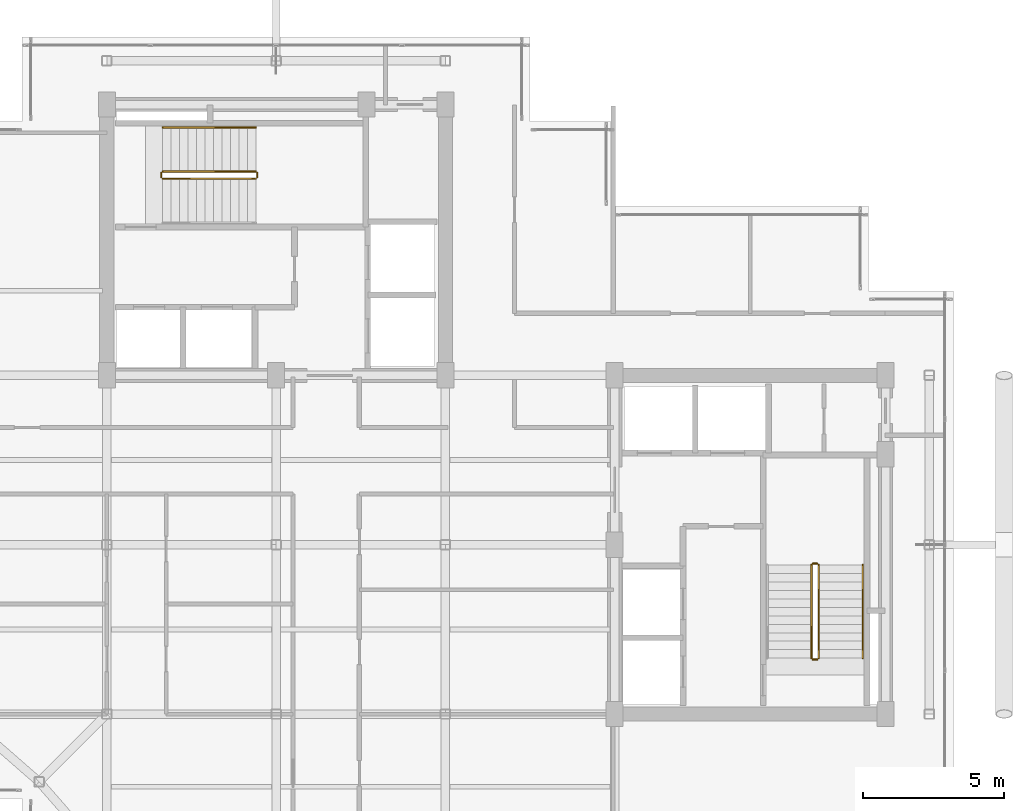
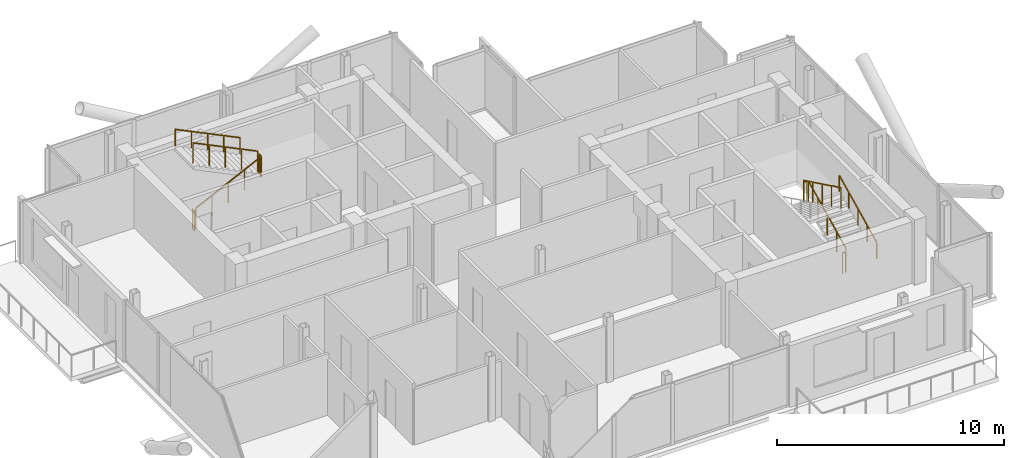
# One storey, part 18 of 18: 10 railings.
"""IFC4 building model written with IfcOpenShell, lengths in metres."""

import ifcopenshell
import ifcopenshell.guid

model = None  # the IFC model being written
_history = None  # IfcOwnerHistory: only IFC2X3 demands one
_inside = {}  # id of a spatial element -> (the spatial element, [elements in it])
_under = {}  # id of a project, library or spatial element -> (it, [spatial elements below it])
_declared = {}  # id of a project -> (the project, [libraries it declares])
_typed = {}  # id of a type object -> (the type object, [elements of that type])
_made_of = {}  # id of a material, layer set ... -> (it, [elements and type objects made of it])


def new_model(schema):
    """Start an empty IFC model of exactly this schema.

    Asked for "IFC4X3", IfcOpenShell would pick the latest addendum, in which some entities
    have other attributes; the version numbers below select the first issue.
    IFC2X3 requires an IfcOwnerHistory on every rooted entity: one is made here for all.
    """
    global model, _history
    if schema == "IFC4X3":
        model = ifcopenshell.file(schema_version=(4, 3, 0, 0))
    else:
        model = ifcopenshell.file(schema=schema)
    _inside.clear()
    _under.clear()
    _declared.clear()
    _typed.clear()
    _made_of.clear()
    _history = None
    if model.schema == "IFC2X3":
        org = make("IfcOrganization", Name="unknown")
        user = make(
            "IfcPersonAndOrganization",
            ThePerson=make("IfcPerson", FamilyName="unknown"),
            TheOrganization=org,
        )
        app = make(
            "IfcApplication",
            ApplicationDeveloper=org,
            Version="unknown",
            ApplicationFullName="unknown",
            ApplicationIdentifier="unknown",
        )
        _history = make(
            "IfcOwnerHistory",
            OwningUser=user,
            OwningApplication=app,
            ChangeAction="ADDED",
            CreationDate=0,
        )
    return model


def make(cls, **values):
    """One entity of the class cls with the attributes given. An attribute that is None is left unset."""
    return model.create_entity(
        cls, **{name: value for name, value in values.items() if value is not None}
    )


def rooted(cls, **values):
    """An entity with a GlobalId (a new one), such as an element, a storey or a relation."""
    return make(cls, GlobalId=ifcopenshell.guid.new(), OwnerHistory=_history, **values)


def si_unit(unit_type, name, prefix=None):
    """IfcSIUnit, for example si_unit("LENGTHUNIT", "METRE", prefix="MILLI")."""
    return make("IfcSIUnit", UnitType=unit_type, Prefix=prefix, Name=name)


def assignment(units):
    """IfcUnitAssignment: the units of a project."""
    return None if units is None else make("IfcUnitAssignment", Units=units)


def point(xyz):
    """IfcCartesianPoint."""
    return None if xyz is None else make("IfcCartesianPoint", Coordinates=xyz)


def direction(xyz):
    """IfcDirection."""
    return None if xyz is None else make("IfcDirection", DirectionRatios=xyz)


def frame(location, z_axis=None, x_axis=None):
    """IfcAxis2Placement3D, a coordinate frame: its origin and axes. An axis left out is left unset."""
    return make(
        "IfcAxis2Placement3D",
        Location=point(location),
        Axis=direction(z_axis),
        RefDirection=direction(x_axis),
    )


def frame_2d(location, x_axis=None):
    """IfcAxis2Placement2D, a coordinate frame in the plane: its origin and x axis."""
    return make(
        "IfcAxis2Placement2D", Location=point(location), RefDirection=direction(x_axis)
    )


def origin():
    """The frame at (0, 0, 0) with its axes left unset."""
    return frame((0.0, 0.0, 0.0))


def origin_2d():
    """The frame at (0, 0) in the plane with its x axis left unset."""
    return frame_2d((0.0, 0.0))


def place(relative_to, where):
    """IfcLocalPlacement: puts the frame where relative to a parent placement (None: the world)."""
    return make(
        "IfcLocalPlacement", PlacementRelTo=relative_to, RelativePlacement=where
    )


def context(
    kind, dimensions, precision=None, world=None, true_north=None, identifier=None
):
    """IfcGeometricRepresentationContext, for example the 3D "Model" context."""
    return make(
        "IfcGeometricRepresentationContext",
        ContextIdentifier=identifier,
        ContextType=kind,
        CoordinateSpaceDimension=dimensions,
        Precision=precision,
        WorldCoordinateSystem=world,
        TrueNorth=true_north,
    )


def subcontext(parent, identifier, kind, view, scale=None):
    """IfcGeometricRepresentationSubContext, for example "Body" below "Model"."""
    return make(
        "IfcGeometricRepresentationSubContext",
        ContextIdentifier=identifier,
        ContextType=kind,
        ParentContext=parent,
        TargetScale=scale,
        TargetView=view,
    )


def project(units=None, contexts=None):
    """IfcProject with its units and contexts."""
    return rooted(
        "IfcProject",
        Name="project",
        RepresentationContexts=contexts,
        UnitsInContext=assignment(units),
    )


def spatial(cls, under=None, at=None, **own):
    """A site, building, storey or space (cls), placed at a placement, below another one or the project."""
    s = rooted(cls, ObjectPlacement=at, **own)
    if under is not None:
        _under.setdefault(under.id(), (under, []))[1].append(s)
    return s


def profile(cls, at=None, kind="AREA", **sizes):
    """A parametric profile (cls). Its sizes go by their IFC names, for example OverallWidth=200.0."""
    return make(cls, ProfileType=kind, Position=at, **sizes)


def rectangle(**sizes):
    """IfcRectangleProfileDef."""
    return profile("IfcRectangleProfileDef", **sizes)


def extrude(swept, where, along, depth):
    """IfcExtrudedAreaSolid: the profile swept, set in the frame where, extruded along a direction by depth."""
    return make(
        "IfcExtrudedAreaSolid",
        SweptArea=swept,
        Position=where,
        ExtrudedDirection=direction(along),
        Depth=depth,
    )


def shape(context_of_items, identifier, shape_type, items):
    """IfcShapeRepresentation: the items that make up one representation, for example the "Body"."""
    return make(
        "IfcShapeRepresentation",
        ContextOfItems=context_of_items,
        RepresentationIdentifier=identifier,
        RepresentationType=shape_type,
        Items=items,
    )


def material(Name=None, Category=None):
    """IfcMaterial."""
    return make("IfcMaterial", Name=Name, Category=Category)


def made_of(thing, what):
    """Note that an element or type object is made of a material, layer set ...; save() writes the relation."""
    if what is not None:
        _made_of.setdefault(what.id(), (what, []))[1].append(thing)
    return thing


def type_object(cls, material=None, **own):
    """A type object (cls), such as IfcWallType, which elements share."""
    return made_of(rooted(cls, **own), material)


def element(
    cls,
    number,
    at=None,
    inside=None,
    cuts=None,
    type_object=None,
    material=None,
    context=None,
    identifier="Body",
    shape_type=None,
    held_by="IfcProductDefinitionShape",
    body=None,
    shapes=None,
    **own,
):
    """One element of the class cls, such as IfcWall. Its Tag is "e" and its number.

    at: its placement. inside: the storey or other place that contains it. cuts: it is an
    opening in that element (IfcRelVoidsElement). A single representation is given by context,
    identifier, shape_type and body (its items); several are given by shapes. held_by: the class
    of the entity that holds the representations. save() writes the other relations.
    """
    e = rooted(cls, Tag="e%d" % number, ObjectPlacement=at, **own)
    if body is not None:
        shapes = [shape(context, identifier, shape_type, body)]
    if shapes is not None:
        e.Representation = make(held_by, Representations=shapes)
    if inside is not None:
        _inside.setdefault(inside.id(), (inside, []))[1].append(e)
    if cuts is not None:
        rooted(
            "IfcRelVoidsElement", RelatingBuildingElement=cuts, RelatedOpeningElement=e
        )
    if type_object is not None:
        _typed.setdefault(type_object.id(), (type_object, []))[1].append(e)
    return made_of(e, material)


def aggregate(whole, parts):
    """IfcRelAggregates: a whole, such as a stair, and the parts it consists of."""
    return rooted("IfcRelAggregates", RelatingObject=whole, RelatedObjects=parts)


def save(model, path):
    """Write the relations noted so far, then the file.

    IfcRelAggregates (storeys below a building ...), IfcRelContainedInSpatialStructure (elements
    in a storey), IfcRelDefinesByType, IfcRelAssociatesMaterial and IfcRelDeclares: one each for
    every whole, place, type object, material and project.
    """
    for whole, parts in _under.values():
        aggregate(whole, parts)
    for where, things in _inside.values():
        rooted(
            "IfcRelContainedInSpatialStructure",
            RelatedElements=things,
            RelatingStructure=where,
        )
    for kind, things in _typed.values():
        rooted("IfcRelDefinesByType", RelatedObjects=things, RelatingType=kind)
    for what, things in _made_of.values():
        rooted("IfcRelAssociatesMaterial", RelatedObjects=things, RelatingMaterial=what)
    for by, libraries in _declared.values():
        rooted("IfcRelDeclares", RelatingContext=by, RelatedDefinitions=libraries)
    model.write(path)


model = new_model("IFC4")

# Units and contexts
model_context = context("Model", 3, precision=1e-05, world=origin(), true_north=direction((0.0, 1.0)))
body_context = subcontext(model_context, "Body", "Model", "MODEL_VIEW")
ifc_project = project(units=[si_unit("LENGTHUNIT", "METRE"), si_unit("AREAUNIT", "SQUARE_METRE"), si_unit("VOLUMEUNIT", "CUBIC_METRE"), si_unit("PLANEANGLEUNIT", "RADIAN"), si_unit("MASSUNIT", "GRAM", prefix="KILO"), si_unit("THERMODYNAMICTEMPERATUREUNIT", "KELVIN"), si_unit("POWERUNIT", "WATT")], contexts=[model_context])

# Site, building, storey
site_placement = place(None, origin())
site = spatial("IfcSite", under=ifc_project, at=site_placement, CompositionType="ELEMENT")
building_placement = place(site_placement, origin())
building = spatial("IfcBuilding", under=site, at=building_placement, Name="Svarakhadi Broadcast Tower", CompositionType="ELEMENT")
storey_placement = place(building_placement, frame((0.0, 0.0, 260.699951171875)))
storey = spatial("IfcBuildingStorey", under=building, at=storey_placement, Name="L65", CompositionType="ELEMENT", Elevation=260.699951171875)

# Railings
ifc_material = material(Name="Anodised Bronze Aluminium AA 6063-T6", Category="aluminium")
railing_type_1 = type_object("IfcRailingType", Name="Guard_Stair_GR01", PredefinedType="GUARDRAIL", material=ifc_material)
railing_1_placement = place(storey_placement, frame((7.97998046875, 24.969970703125, 0.14599609375)))
element("IfcRailing", 1, at=railing_1_placement, inside=storey, type_object=railing_type_1, Name="L65 ST-01 stair guard 1", PredefinedType="GUARDRAIL", context=body_context, shape_type="SweptSolid", body=[
    extrude(rectangle(XDim=0.048095703125, YDim=0.048095703125, at=origin_2d()), frame((0.0, 0.0, 1.09619140625), z_axis=(0.899387838337, 0.0, 0.437151594131), x_axis=(0.0, 1.0, 0.0)), (0.0, 0.0, 1.0), 3.669189453125),
    extrude(rectangle(XDim=0.0419921875, YDim=0.0419921875, at=origin_2d()), origin(), (0.0, 0.0, 1.0), 1.072021484375),
    extrude(rectangle(XDim=0.0419921875, YDim=0.0419921875, at=origin_2d()), frame((0.824951171875, 0.0, 0.40087890625)), (0.0, 0.0, 1.0), 1.072021484375),
    extrude(rectangle(XDim=0.0419921875, YDim=0.0419921875, at=origin_2d()), frame((1.64990234375, 0.0, 0.802001953125)), (0.0, 0.0, 1.0), 1.072021484375),
    extrude(rectangle(XDim=0.0419921875, YDim=0.0419921875, at=origin_2d()), frame((2.47509765625, 0.0, 1.203125)), (0.0, 0.0, 1.0), 1.072021484375),
    extrude(rectangle(XDim=0.0419921875, YDim=0.0419921875, at=origin_2d()), frame((3.300048828125, 0.0, 1.60400390625)), (0.0, 0.0, 1.0), 1.072021484375),
])
railing_2_placement = place(storey_placement, frame((11.330078125, 25.02001953125, 1.75)))
element("IfcRailing", 2, at=railing_2_placement, inside=storey, type_object=railing_type_1, Name="L65 ST-01 stair guard 2", PredefinedType="GUARDRAIL", context=body_context, shape_type="SweptSolid", body=[
    extrude(rectangle(XDim=0.048095703125, YDim=0.048095703125, at=origin_2d()), frame((0.0, 0.0, 1.09619140625), z_axis=(0.0, 1.0, 0.0), x_axis=(-1.0, 0.0, 0.0)), (0.0, 0.0, 1.0), 0.159912109375),
    extrude(rectangle(XDim=0.0419921875, YDim=0.0419921875, at=origin_2d()), origin(), (0.0, 0.0, 1.0), 1.072021484375),
    extrude(rectangle(XDim=0.0419921875, YDim=0.0419921875, at=origin_2d()), frame((0.0, 0.159912109375, 0.0)), (0.0, 0.0, 1.0), 1.072021484375),
])
railing_3_placement = place(storey_placement, frame((11.280029296875, 25.22998046875, 1.89599609375)))
element("IfcRailing", 3, at=railing_3_placement, inside=storey, type_object=railing_type_1, Name="L65 ST-01 stair guard 3", PredefinedType="GUARDRAIL", context=body_context, shape_type="SweptSolid", body=[
    extrude(rectangle(XDim=0.048095703125, YDim=0.048095703125, at=origin_2d()), frame((0.0, 0.0, 1.09619140625), z_axis=(-0.899387838337, 0.0, 0.437151594131), x_axis=(0.0, -1.0, 0.0)), (0.0, 0.0, 1.0), 3.669189453125),
    extrude(rectangle(XDim=0.0419921875, YDim=0.0419921875, at=origin_2d()), origin(), (0.0, 0.0, 1.0), 1.072021484375),
    extrude(rectangle(XDim=0.0419921875, YDim=0.0419921875, at=origin_2d()), frame((-0.824951171875, 0.0, 0.40087890625)), (0.0, 0.0, 1.0), 1.072021484375),
    extrude(rectangle(XDim=0.0419921875, YDim=0.0419921875, at=origin_2d()), frame((-1.64990234375, 0.0, 0.802001953125)), (0.0, 0.0, 1.0), 1.072021484375),
    extrude(rectangle(XDim=0.0419921875, YDim=0.0419921875, at=origin_2d()), frame((-2.47509765625, 0.0, 1.203125)), (0.0, 0.0, 1.0), 1.072021484375),
    extrude(rectangle(XDim=0.0419921875, YDim=0.0419921875, at=origin_2d()), frame((-3.300048828125, 0.0, 1.60400390625)), (0.0, 0.0, 1.0), 1.072021484375),
])
railing_4_placement = place(storey_placement, frame((7.929931640625, 25.02001953125, 0.0)))
element("IfcRailing", 4, at=railing_4_placement, inside=storey, type_object=railing_type_1, Name="L65 ST-01 stair guard 4", PredefinedType="GUARDRAIL", context=body_context, shape_type="SweptSolid", body=[
    extrude(rectangle(XDim=0.048095703125, YDim=0.048095703125, at=origin_2d()), frame((0.0, 0.0, 1.09619140625), z_axis=(0.0, 1.0, 0.0), x_axis=(-1.0, 0.0, 0.0)), (0.0, 0.0, 1.0), 0.159912109375),
    extrude(rectangle(XDim=0.0419921875, YDim=0.0419921875, at=origin_2d()), origin(), (0.0, 0.0, 1.0), 1.072021484375),
    extrude(rectangle(XDim=0.0419921875, YDim=0.0419921875, at=origin_2d()), frame((0.0, 0.159912109375, 0.0)), (0.0, 0.0, 1.0), 1.072021484375),
])
railing_5_placement = place(storey_placement, frame((31.22998046875, 7.97998046875, 0.14599609375)))
element("IfcRailing", 5, at=railing_5_placement, inside=storey, type_object=railing_type_1, Name="L65 ST-02 stair guard 1", PredefinedType="GUARDRAIL", context=body_context, shape_type="SweptSolid", body=[
    extrude(rectangle(XDim=0.048095703125, YDim=0.048095703125, at=origin_2d()), frame((0.0, 0.0, 1.09619140625), z_axis=(0.0, 0.899387838337, 0.437151594131), x_axis=(-1.0, 0.0, 0.0)), (0.0, 0.0, 1.0), 3.669189453125),
    extrude(rectangle(XDim=0.0419921875, YDim=0.0419921875, at=origin_2d()), origin(), (0.0, 0.0, 1.0), 1.072021484375),
    extrude(rectangle(XDim=0.0419921875, YDim=0.0419921875, at=origin_2d()), frame((0.0, 0.824951171875, 0.40087890625)), (0.0, 0.0, 1.0), 1.072021484375),
    extrude(rectangle(XDim=0.0419921875, YDim=0.0419921875, at=origin_2d()), frame((0.0, 1.64990234375, 0.802001953125)), (0.0, 0.0, 1.0), 1.072021484375),
    extrude(rectangle(XDim=0.0419921875, YDim=0.0419921875, at=origin_2d()), frame((0.0, 2.47509765625, 1.203125)), (0.0, 0.0, 1.0), 1.072021484375),
    extrude(rectangle(XDim=0.0419921875, YDim=0.0419921875, at=origin_2d()), frame((0.0, 3.300048828125, 1.60400390625)), (0.0, 0.0, 1.0), 1.072021484375),
])
railing_6_placement = place(storey_placement, frame((31.179931640625, 11.330078125, 1.75)))
element("IfcRailing", 6, at=railing_6_placement, inside=storey, type_object=railing_type_1, Name="L65 ST-02 stair guard 2", PredefinedType="GUARDRAIL", context=body_context, shape_type="SweptSolid", body=[
    extrude(rectangle(XDim=0.048095703125, YDim=0.048095703125, at=origin_2d()), frame((0.0, 0.0, 1.09619140625), z_axis=(-1.0, 0.0, 0.0), x_axis=(0.0, -1.0, 0.0)), (0.0, 0.0, 1.0), 0.159912109375),
    extrude(rectangle(XDim=0.0419921875, YDim=0.0419921875, at=origin_2d()), origin(), (0.0, 0.0, 1.0), 1.072021484375),
    extrude(rectangle(XDim=0.0419921875, YDim=0.0419921875, at=origin_2d()), frame((-0.159912109375, 0.0, 0.0)), (0.0, 0.0, 1.0), 1.072021484375),
])
railing_7_placement = place(storey_placement, frame((30.969970703125, 11.280029296875, 1.89599609375)))
element("IfcRailing", 7, at=railing_7_placement, inside=storey, type_object=railing_type_1, Name="L65 ST-02 stair guard 3", PredefinedType="GUARDRAIL", context=body_context, shape_type="SweptSolid", body=[
    extrude(rectangle(XDim=0.048095703125, YDim=0.048095703125, at=origin_2d()), frame((0.0, 0.0, 1.09619140625), z_axis=(0.0, -0.899387838337, 0.437151594131), x_axis=(1.0, 0.0, 0.0)), (0.0, 0.0, 1.0), 3.669189453125),
    extrude(rectangle(XDim=0.0419921875, YDim=0.0419921875, at=origin_2d()), origin(), (0.0, 0.0, 1.0), 1.072021484375),
    extrude(rectangle(XDim=0.0419921875, YDim=0.0419921875, at=origin_2d()), frame((0.0, -0.824951171875, 0.40087890625)), (0.0, 0.0, 1.0), 1.072021484375),
    extrude(rectangle(XDim=0.0419921875, YDim=0.0419921875, at=origin_2d()), frame((0.0, -1.64990234375, 0.802001953125)), (0.0, 0.0, 1.0), 1.072021484375),
    extrude(rectangle(XDim=0.0419921875, YDim=0.0419921875, at=origin_2d()), frame((0.0, -2.47509765625, 1.203125)), (0.0, 0.0, 1.0), 1.072021484375),
    extrude(rectangle(XDim=0.0419921875, YDim=0.0419921875, at=origin_2d()), frame((0.0, -3.300048828125, 1.60400390625)), (0.0, 0.0, 1.0), 1.072021484375),
])
railing_8_placement = place(storey_placement, frame((31.179931640625, 7.929931640625, 0.0)))
element("IfcRailing", 8, at=railing_8_placement, inside=storey, type_object=railing_type_1, Name="L65 ST-02 stair guard 4", PredefinedType="GUARDRAIL", context=body_context, shape_type="SweptSolid", body=[
    extrude(rectangle(XDim=0.048095703125, YDim=0.048095703125, at=origin_2d()), frame((0.0, 0.0, 1.09619140625), z_axis=(-1.0, 0.0, 0.0), x_axis=(0.0, -1.0, 0.0)), (0.0, 0.0, 1.0), 0.159912109375),
    extrude(rectangle(XDim=0.0419921875, YDim=0.0419921875, at=origin_2d()), origin(), (0.0, 0.0, 1.0), 1.072021484375),
    extrude(rectangle(XDim=0.0419921875, YDim=0.0419921875, at=origin_2d()), frame((-0.159912109375, 0.0, 0.0)), (0.0, 0.0, 1.0), 1.072021484375),
])
railing_type_2 = type_object("IfcRailingType", Name="Handrail_Stair_HR01", PredefinedType="HANDRAIL", material=ifc_material)
railing_9_placement = place(storey_placement, frame((11.280029296875, 26.7900390625, 1.89599609375)))
element("IfcRailing", 9, at=railing_9_placement, inside=storey, type_object=railing_type_2, Name="L65 ST-01 stair handrail 2", PredefinedType="HANDRAIL", context=body_context, shape_type="SweptSolid", body=[
    extrude(rectangle(XDim=0.048095703125, YDim=0.048095703125, at=origin_2d()), frame((0.0, 0.0, 0.8759765625), z_axis=(-0.899387838337, 0.0, 0.437151594131), x_axis=(0.0, -1.0, 0.0)), (0.0, 0.0, 1.0), 3.669189453125),
    extrude(rectangle(XDim=0.0419921875, YDim=0.0419921875, at=origin_2d()), origin(), (0.0, 0.0, 1.0), 0.851806640625),
    extrude(rectangle(XDim=0.0419921875, YDim=0.0419921875, at=origin_2d()), frame((-0.824951171875, 0.0, 0.40087890625)), (0.0, 0.0, 1.0), 0.851806640625),
    extrude(rectangle(XDim=0.0419921875, YDim=0.0419921875, at=origin_2d()), frame((-1.64990234375, 0.0, 0.802001953125)), (0.0, 0.0, 1.0), 0.851806640625),
    extrude(rectangle(XDim=0.0419921875, YDim=0.0419921875, at=origin_2d()), frame((-2.47509765625, 0.0, 1.203125)), (0.0, 0.0, 1.0), 0.851806640625),
    extrude(rectangle(XDim=0.0419921875, YDim=0.0419921875, at=origin_2d()), frame((-3.300048828125, 0.0, 1.60400390625)), (0.0, 0.0, 1.0), 0.851806640625),
])
railing_10_placement = place(storey_placement, frame((32.7900390625, 7.97998046875, 0.14599609375)))
element("IfcRailing", 10, at=railing_10_placement, inside=storey, type_object=railing_type_2, Name="L65 ST-02 stair handrail 1", PredefinedType="HANDRAIL", context=body_context, shape_type="SweptSolid", body=[
    extrude(rectangle(XDim=0.048095703125, YDim=0.048095703125, at=origin_2d()), frame((0.0, 0.0, 0.8759765625), z_axis=(0.0, 0.899387838337, 0.437151594131), x_axis=(-1.0, 0.0, 0.0)), (0.0, 0.0, 1.0), 3.669189453125),
    extrude(rectangle(XDim=0.0419921875, YDim=0.0419921875, at=origin_2d()), origin(), (0.0, 0.0, 1.0), 0.851806640625),
    extrude(rectangle(XDim=0.0419921875, YDim=0.0419921875, at=origin_2d()), frame((0.0, 0.824951171875, 0.40087890625)), (0.0, 0.0, 1.0), 0.851806640625),
    extrude(rectangle(XDim=0.0419921875, YDim=0.0419921875, at=origin_2d()), frame((0.0, 1.64990234375, 0.802001953125)), (0.0, 0.0, 1.0), 0.851806640625),
    extrude(rectangle(XDim=0.0419921875, YDim=0.0419921875, at=origin_2d()), frame((0.0, 2.47509765625, 1.203125)), (0.0, 0.0, 1.0), 0.851806640625),
    extrude(rectangle(XDim=0.0419921875, YDim=0.0419921875, at=origin_2d()), frame((0.0, 3.300048828125, 1.60400390625)), (0.0, 0.0, 1.0), 0.851806640625),
])

save(model, "model.ifc")
